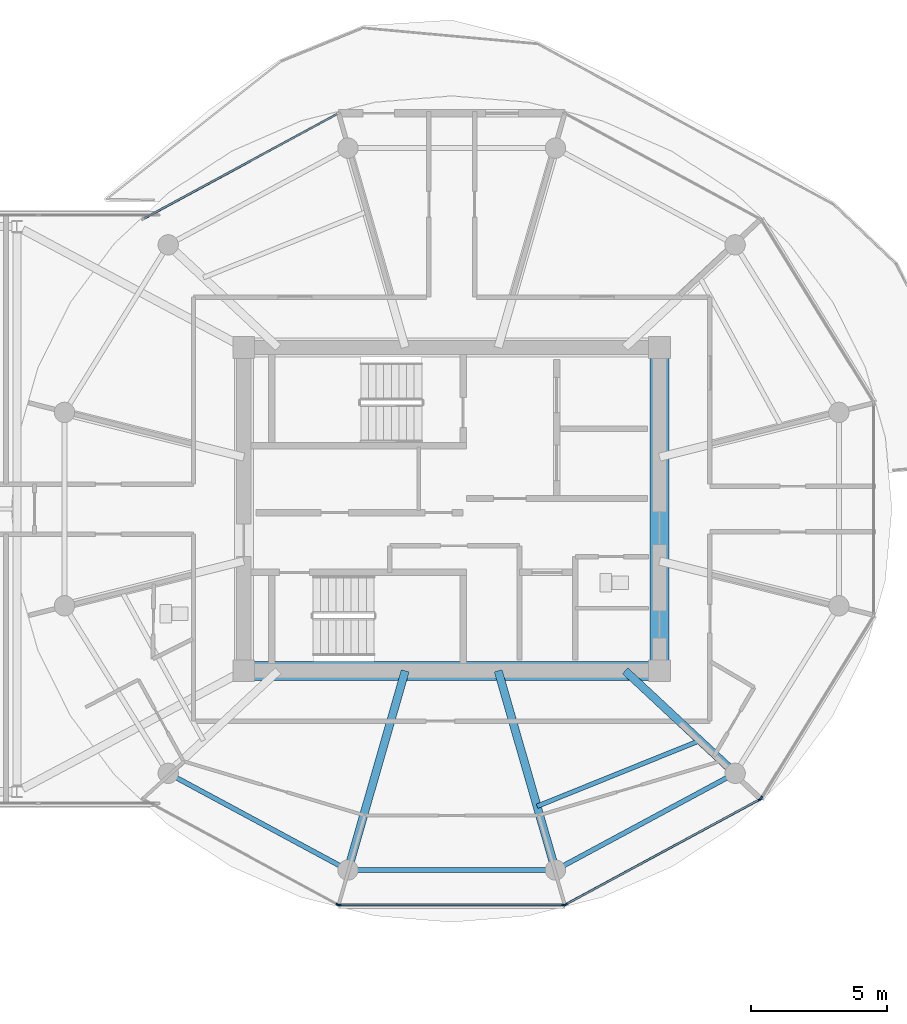
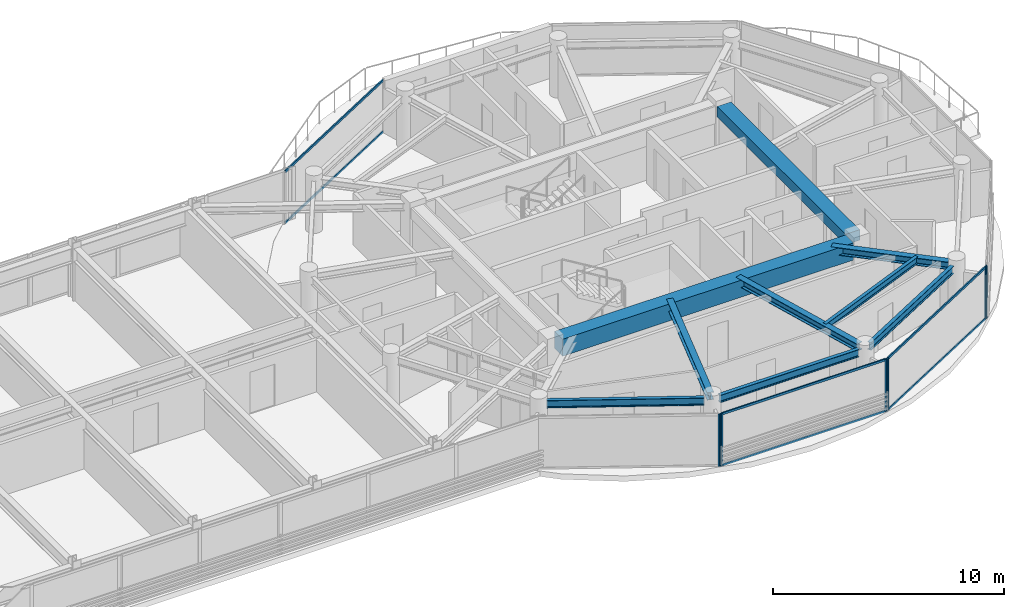
# One storey, part 9 of 24: 12 members, 9 beams, 5 elements without a shape of their own.
"""IFC4 building model written with IfcOpenShell, lengths in metres."""

import ifcopenshell
import ifcopenshell.guid

model = None  # the IFC model being written
_history = None  # IfcOwnerHistory: only IFC2X3 demands one
_inside = {}  # id of a spatial element -> (the spatial element, [elements in it])
_under = {}  # id of a project, library or spatial element -> (it, [spatial elements below it])
_declared = {}  # id of a project -> (the project, [libraries it declares])
_typed = {}  # id of a type object -> (the type object, [elements of that type])
_made_of = {}  # id of a material, layer set ... -> (it, [elements and type objects made of it])


def new_model(schema):
    """Start an empty IFC model of exactly this schema.

    Asked for "IFC4X3", IfcOpenShell would pick the latest addendum, in which some entities
    have other attributes; the version numbers below select the first issue.
    IFC2X3 requires an IfcOwnerHistory on every rooted entity: one is made here for all.
    """
    global model, _history
    if schema == "IFC4X3":
        model = ifcopenshell.file(schema_version=(4, 3, 0, 0))
    else:
        model = ifcopenshell.file(schema=schema)
    _inside.clear()
    _under.clear()
    _declared.clear()
    _typed.clear()
    _made_of.clear()
    _history = None
    if model.schema == "IFC2X3":
        org = make("IfcOrganization", Name="unknown")
        user = make(
            "IfcPersonAndOrganization",
            ThePerson=make("IfcPerson", FamilyName="unknown"),
            TheOrganization=org,
        )
        app = make(
            "IfcApplication",
            ApplicationDeveloper=org,
            Version="unknown",
            ApplicationFullName="unknown",
            ApplicationIdentifier="unknown",
        )
        _history = make(
            "IfcOwnerHistory",
            OwningUser=user,
            OwningApplication=app,
            ChangeAction="ADDED",
            CreationDate=0,
        )
    return model


def make(cls, **values):
    """One entity of the class cls with the attributes given. An attribute that is None is left unset."""
    return model.create_entity(
        cls, **{name: value for name, value in values.items() if value is not None}
    )


def rooted(cls, **values):
    """An entity with a GlobalId (a new one), such as an element, a storey or a relation."""
    return make(cls, GlobalId=ifcopenshell.guid.new(), OwnerHistory=_history, **values)


def si_unit(unit_type, name, prefix=None):
    """IfcSIUnit, for example si_unit("LENGTHUNIT", "METRE", prefix="MILLI")."""
    return make("IfcSIUnit", UnitType=unit_type, Prefix=prefix, Name=name)


def assignment(units):
    """IfcUnitAssignment: the units of a project."""
    return None if units is None else make("IfcUnitAssignment", Units=units)


def point(xyz):
    """IfcCartesianPoint."""
    return None if xyz is None else make("IfcCartesianPoint", Coordinates=xyz)


def direction(xyz):
    """IfcDirection."""
    return None if xyz is None else make("IfcDirection", DirectionRatios=xyz)


def frame(location, z_axis=None, x_axis=None):
    """IfcAxis2Placement3D, a coordinate frame: its origin and axes. An axis left out is left unset."""
    return make(
        "IfcAxis2Placement3D",
        Location=point(location),
        Axis=direction(z_axis),
        RefDirection=direction(x_axis),
    )


def frame_2d(location, x_axis=None):
    """IfcAxis2Placement2D, a coordinate frame in the plane: its origin and x axis."""
    return make(
        "IfcAxis2Placement2D", Location=point(location), RefDirection=direction(x_axis)
    )


def origin():
    """The frame at (0, 0, 0) with its axes left unset."""
    return frame((0.0, 0.0, 0.0))


def origin_2d():
    """The frame at (0, 0) in the plane with its x axis left unset."""
    return frame_2d((0.0, 0.0))


def place(relative_to, where):
    """IfcLocalPlacement: puts the frame where relative to a parent placement (None: the world)."""
    return make(
        "IfcLocalPlacement", PlacementRelTo=relative_to, RelativePlacement=where
    )


def context(
    kind, dimensions, precision=None, world=None, true_north=None, identifier=None
):
    """IfcGeometricRepresentationContext, for example the 3D "Model" context."""
    return make(
        "IfcGeometricRepresentationContext",
        ContextIdentifier=identifier,
        ContextType=kind,
        CoordinateSpaceDimension=dimensions,
        Precision=precision,
        WorldCoordinateSystem=world,
        TrueNorth=true_north,
    )


def subcontext(parent, identifier, kind, view, scale=None):
    """IfcGeometricRepresentationSubContext, for example "Body" below "Model"."""
    return make(
        "IfcGeometricRepresentationSubContext",
        ContextIdentifier=identifier,
        ContextType=kind,
        ParentContext=parent,
        TargetScale=scale,
        TargetView=view,
    )


def project(units=None, contexts=None):
    """IfcProject with its units and contexts."""
    return rooted(
        "IfcProject",
        Name="project",
        RepresentationContexts=contexts,
        UnitsInContext=assignment(units),
    )


def spatial(cls, under=None, at=None, **own):
    """A site, building, storey or space (cls), placed at a placement, below another one or the project."""
    s = rooted(cls, ObjectPlacement=at, **own)
    if under is not None:
        _under.setdefault(under.id(), (under, []))[1].append(s)
    return s


def profile(cls, at=None, kind="AREA", **sizes):
    """A parametric profile (cls). Its sizes go by their IFC names, for example OverallWidth=200.0."""
    return make(cls, ProfileType=kind, Position=at, **sizes)


def rectangle(**sizes):
    """IfcRectangleProfileDef."""
    return profile("IfcRectangleProfileDef", **sizes)


def i_section(**sizes):
    """IfcIShapeProfileDef."""
    return profile("IfcIShapeProfileDef", **sizes)


def extrude(swept, where, along, depth):
    """IfcExtrudedAreaSolid: the profile swept, set in the frame where, extruded along a direction by depth."""
    return make(
        "IfcExtrudedAreaSolid",
        SweptArea=swept,
        Position=where,
        ExtrudedDirection=direction(along),
        Depth=depth,
    )


def shape(context_of_items, identifier, shape_type, items):
    """IfcShapeRepresentation: the items that make up one representation, for example the "Body"."""
    return make(
        "IfcShapeRepresentation",
        ContextOfItems=context_of_items,
        RepresentationIdentifier=identifier,
        RepresentationType=shape_type,
        Items=items,
    )


def source(mapping_origin, context_of_items, identifier, shape_type, items):
    """IfcRepresentationMap: a shape defined once, which mapped items show again and again."""
    return make(
        "IfcRepresentationMap",
        MappingOrigin=mapping_origin,
        MappedRepresentation=shape(context_of_items, identifier, shape_type, items),
    )


def transform(
    local_origin,
    x_axis=None,
    y_axis=None,
    z_axis=None,
    scale=None,
    scale2=None,
    scale3=None,
    uniform=True,
):
    """IfcCartesianTransformationOperator3D, or its non-uniform kind. x_axis, y_axis, z_axis: its Axis1, 2, 3."""
    if uniform:
        return make(
            "IfcCartesianTransformationOperator3D",
            Axis1=direction(x_axis),
            Axis2=direction(y_axis),
            LocalOrigin=point(local_origin),
            Scale=scale,
            Axis3=direction(z_axis),
        )
    return make(
        "IfcCartesianTransformationOperator3DnonUniform",
        Axis1=direction(x_axis),
        Axis2=direction(y_axis),
        LocalOrigin=point(local_origin),
        Scale=scale,
        Axis3=direction(z_axis),
        Scale2=scale2,
        Scale3=scale3,
    )


def mapped(mapping_source, mapping_target):
    """IfcMappedItem: shows the shape of a source again, moved by a transform."""
    return make(
        "IfcMappedItem", MappingSource=mapping_source, MappingTarget=mapping_target
    )


def material(Name=None, Category=None):
    """IfcMaterial."""
    return make("IfcMaterial", Name=Name, Category=Category)


def layer(
    of_material, thickness, ventilated=None, Name=None, Category=None, Priority=None
):
    """IfcMaterialLayer: one layer of a wall or slab, of a material (None: an air gap)."""
    return make(
        "IfcMaterialLayer",
        Material=of_material,
        LayerThickness=thickness,
        IsVentilated=ventilated,
        Name=Name,
        Category=Category,
        Priority=Priority,
    )


def layer_set(layers, Name=None):
    """IfcMaterialLayerSet."""
    return make("IfcMaterialLayerSet", MaterialLayers=layers, LayerSetName=Name)


def material_profile(
    of_material, cross_section, Name=None, Category=None, Priority=None
):
    """IfcMaterialProfile: a cross section and its material."""
    return make(
        "IfcMaterialProfile",
        Name=Name,
        Material=of_material,
        Profile=cross_section,
        Priority=Priority,
        Category=Category,
    )


def profile_set(profiles, Name=None, composite=None):
    """IfcMaterialProfileSet."""
    return make(
        "IfcMaterialProfileSet",
        Name=Name,
        MaterialProfiles=profiles,
        CompositeProfile=composite,
    )


def made_of(thing, what):
    """Note that an element or type object is made of a material, layer set ...; save() writes the relation."""
    if what is not None:
        _made_of.setdefault(what.id(), (what, []))[1].append(thing)
    return thing


def type_object(cls, material=None, **own):
    """A type object (cls), such as IfcWallType, which elements share."""
    return made_of(rooted(cls, **own), material)


def type_shapes(of_type, sources):
    """Give a type object the sources (RepresentationMaps) that its elements show as mapped items."""
    of_type.RepresentationMaps = sources


def element(
    cls,
    number,
    at=None,
    inside=None,
    cuts=None,
    type_object=None,
    material=None,
    context=None,
    identifier="Body",
    shape_type=None,
    held_by="IfcProductDefinitionShape",
    body=None,
    shapes=None,
    **own,
):
    """One element of the class cls, such as IfcWall. Its Tag is "e" and its number.

    at: its placement. inside: the storey or other place that contains it. cuts: it is an
    opening in that element (IfcRelVoidsElement). A single representation is given by context,
    identifier, shape_type and body (its items); several are given by shapes. held_by: the class
    of the entity that holds the representations. save() writes the other relations.
    """
    e = rooted(cls, Tag="e%d" % number, ObjectPlacement=at, **own)
    if body is not None:
        shapes = [shape(context, identifier, shape_type, body)]
    if shapes is not None:
        e.Representation = make(held_by, Representations=shapes)
    if inside is not None:
        _inside.setdefault(inside.id(), (inside, []))[1].append(e)
    if cuts is not None:
        rooted(
            "IfcRelVoidsElement", RelatingBuildingElement=cuts, RelatedOpeningElement=e
        )
    if type_object is not None:
        _typed.setdefault(type_object.id(), (type_object, []))[1].append(e)
    return made_of(e, material)


def aggregate(whole, parts):
    """IfcRelAggregates: a whole, such as a stair, and the parts it consists of."""
    return rooted("IfcRelAggregates", RelatingObject=whole, RelatedObjects=parts)


def save(model, path):
    """Write the relations noted so far, then the file.

    IfcRelAggregates (storeys below a building ...), IfcRelContainedInSpatialStructure (elements
    in a storey), IfcRelDefinesByType, IfcRelAssociatesMaterial and IfcRelDeclares: one each for
    every whole, place, type object, material and project.
    """
    for whole, parts in _under.values():
        aggregate(whole, parts)
    for where, things in _inside.values():
        rooted(
            "IfcRelContainedInSpatialStructure",
            RelatedElements=things,
            RelatingStructure=where,
        )
    for kind, things in _typed.values():
        rooted("IfcRelDefinesByType", RelatedObjects=things, RelatingType=kind)
    for what, things in _made_of.values():
        rooted("IfcRelAssociatesMaterial", RelatedObjects=things, RelatingMaterial=what)
    for by, libraries in _declared.values():
        rooted("IfcRelDeclares", RelatingContext=by, RelatedDefinitions=libraries)
    model.write(path)


model = new_model("IFC4")

# Units and contexts
model_context = context("Model", 3, precision=1e-05, world=origin(), true_north=direction((0.0, 1.0)))
body_context = subcontext(model_context, "Body", "Model", "MODEL_VIEW")
ifc_project = project(units=[si_unit("LENGTHUNIT", "METRE"), si_unit("AREAUNIT", "SQUARE_METRE"), si_unit("VOLUMEUNIT", "CUBIC_METRE"), si_unit("PLANEANGLEUNIT", "RADIAN"), si_unit("MASSUNIT", "GRAM", prefix="KILO")], contexts=[model_context])

# Site, building, storey
site_placement = place(None, origin())
site = spatial("IfcSite", under=ifc_project, at=site_placement, CompositionType="ELEMENT")
building_placement = place(site_placement, origin())
building = spatial("IfcBuilding", under=site, at=building_placement, Name="Norrkilde Senior Care Towers", CompositionType="ELEMENT")
storey_placement = place(building_placement, frame((0.0, 0.0, 226.10009765625)))
storey = spatial("IfcBuildingStorey", under=building, at=storey_placement, Name="L70", CompositionType="ELEMENT", Elevation=226.10009765625)

# Beams
ifc_material_1 = material(Name="Concrete C60/75", Category="concrete")
ifc_material_profile_1 = material_profile(ifc_material_1, rectangle(XDim=0.699951171875, YDim=0.89990234375, at=origin_2d()), Name="RC BM 700x900")
ifc_profile_set_1 = profile_set([ifc_material_profile_1], Name="Concrete C60/75")
beam_type_1 = type_object("IfcBeamType", Name="Core Coupling Girder 700x900", PredefinedType="USERDEFINED", material=ifc_profile_set_1)
shared_shape_1 = source(origin(), body_context, "Body", "SweptSolid", [
    extrude(rectangle(XDim=0.699951171875, YDim=0.89990234375, at=origin_2d()), origin(), (0.0, 0.0, 1.0), 14.5400390625),
])
type_shapes(beam_type_1, [shared_shape_1])
beam_1_placement = place(storey_placement, frame((20.72998046875, -5.949951171875, 2.309814453125), z_axis=(1.0, 0.0, 0.0), x_axis=(0.0, 1.0, 0.0)))
element("IfcBeam", 1, at=beam_1_placement, inside=storey, type_object=beam_type_1, Name="L70 Core E S Coupling Girder", ObjectType="GIRDER", PredefinedType="USERDEFINED", context=body_context, shape_type="MappedRepresentation", body=[
    mapped(shared_shape_1, transform((0.0, 0.0, 0.0), x_axis=(1.0, 0.0, 0.0), y_axis=(0.0, 1.0, 0.0), z_axis=(0.0, 0.0, 1.0), scale=1.0)),
])
ifc_material_profile_2 = material_profile(ifc_material_1, rectangle(XDim=0.699951171875, YDim=0.550048828125, at=origin_2d()), Name="RC BM 700x550")
ifc_profile_set_2 = profile_set([ifc_material_profile_2], Name="Concrete C60/75")
beam_type_2 = type_object("IfcBeamType", Name="Core Portal Coupling Beam 700x550", PredefinedType="USERDEFINED", material=ifc_profile_set_2)
shared_shape_2 = source(origin(), body_context, "Body", "SweptSolid", [
    extrude(rectangle(XDim=0.699951171875, YDim=0.550048828125, at=origin_2d()), origin(), (0.0, 0.0, 1.0), 11.14013671875),
])
type_shapes(beam_type_2, [shared_shape_2])
beam_2_placement = place(storey_placement, frame((35.64990234375, -5.570068359375, 2.48486328125), z_axis=(0.0, 1.0, 0.0), x_axis=(-1.0, 0.0, 0.0)))
element("IfcBeam", 2, at=beam_2_placement, inside=storey, type_object=beam_type_2, Name="L70 Core E E Coupling Girder", ObjectType="GIRDER", PredefinedType="USERDEFINED", context=body_context, shape_type="MappedRepresentation", body=[
    mapped(shared_shape_2, transform((0.0, 0.0, 0.0), x_axis=(1.0, 0.0, 0.0), y_axis=(0.0, 1.0, 0.0), z_axis=(0.0, 0.0, 1.0), scale=1.0)),
])
ifc_material_2 = material(Name="Steel S355", Category="steel")
ifc_material_profile_3 = material_profile(ifc_material_2, i_section(OverallWidth=0.179931640625, OverallDepth=0.39990234375, WebThickness=0.008544921875, FlangeThickness=0.013427734375, FilletRadius=0.02099609375, at=origin_2d()), Name="IPE 400")
ifc_profile_set_3 = profile_set([ifc_material_profile_3], Name="Steel S355")
beam_type_3 = type_object("IfcBeamType", Name="Perimeter Ring Spandrel Z4 IPE400", PredefinedType="SPANDREL", material=ifc_profile_set_3)
shared_shape_3 = source(origin(), body_context, "Body", "SweptSolid", [
    extrude(i_section(OverallWidth=0.179931640625, OverallDepth=0.39990234375, WebThickness=0.008544921875, FlangeThickness=0.013427734375, FilletRadius=0.02099609375, at=origin_2d()), origin(), (0.0, 0.0, 1.0), 6.839111328125),
])
for number, where, z_axis, x_axis, name in (
    (3, (17.865234375, -9.881591796875, 2.559814453125), (0.880563930732, -0.473927382511, 0.0), (0.473927382511, 0.880563930732, 0.0), "L70 Drum E Perimeter Spandrel 08"),
    (4, (32.112548828125, -13.122802734375, 2.559814453125), (0.880563930732, 0.473927382511, 0.0), (-0.473927382511, 0.880563930732, 0.0), "L70 Drum E Perimeter Spandrel 10"),
):
    element("IfcBeam", number, at=place(storey_placement, frame(where, z_axis=z_axis, x_axis=x_axis)), inside=storey, type_object=beam_type_3, Name=name, PredefinedType="SPANDREL", context=body_context, shape_type="MappedRepresentation", body=[
        mapped(shared_shape_3, transform((0.0, 0.0, 0.0), x_axis=(1.0, 0.0, 0.0), y_axis=(0.0, 1.0, 0.0), z_axis=(0.0, 0.0, 1.0), scale=1.0)),
    ])
ifc_material_profile_4 = material_profile(ifc_material_2, i_section(OverallWidth=0.300048828125, OverallDepth=0.39990234375, WebThickness=0.013427734375, FlangeThickness=0.02392578125, FilletRadius=0.027099609375, at=origin_2d()), Name="HEB 400")
ifc_profile_set_4 = profile_set([ifc_material_profile_4], Name="Steel S355")
beam_type_4 = type_object("IfcBeamType", Name="Radial Floor Beam Z4 HEB400", PredefinedType="BEAM", material=ifc_profile_set_4)
shared_shape_4 = source(origin(), body_context, "Body", "SweptSolid", [
    extrude(i_section(OverallWidth=0.300048828125, OverallDepth=0.39990234375, WebThickness=0.013427734375, FlangeThickness=0.02392578125, FilletRadius=0.027099609375, at=origin_2d()), origin(), (0.0, 0.0, 1.0), 5.197998046875),
])
beam_3_placement = place(storey_placement, frame((34.3828125, -5.949951171875, 2.559814453125), z_axis=(0.731448749334, -0.681896419625, 0.0), x_axis=(0.681896419625, 0.731448749334, 0.0)))
element("IfcBeam", 5, at=beam_3_placement, inside=storey, type_object=beam_type_4, Name="L70 Drum E Radial Floor Beam 11", PredefinedType="BEAM", context=body_context, shape_type="MappedRepresentation", body=[
    mapped(shared_shape_4, transform((0.0, 0.0, 0.0), x_axis=(1.0, 0.0, 0.0), y_axis=(0.0, 1.0, 0.0), z_axis=(0.0, 0.0, 1.0), scale=1.0)),
])
shared_shape_5 = source(origin(), body_context, "Body", "SweptSolid", [
    extrude(i_section(OverallWidth=0.179931640625, OverallDepth=0.39990234375, WebThickness=0.008544921875, FlangeThickness=0.013427734375, FilletRadius=0.02099609375, at=origin_2d()), origin(), (0.0, 0.0, 1.0), 6.96533203125),
])
type_shapes(beam_type_3, [shared_shape_3, shared_shape_5])
beam_4_placement = place(storey_placement, frame((24.517333984375, -13.281494140625, 2.559814453125), z_axis=(1.0, 0.0, 0.0), x_axis=(0.0, 1.0, 0.0)))
element("IfcBeam", 6, at=beam_4_placement, inside=storey, type_object=beam_type_3, Name="L70 Drum E Perimeter Spandrel 09", PredefinedType="SPANDREL", context=body_context, shape_type="MappedRepresentation", body=[
    mapped(shared_shape_5, transform((0.0, 0.0, 0.0), x_axis=(1.0, 0.0, 0.0), y_axis=(0.0, 1.0, 0.0), z_axis=(0.0, 0.0, 1.0), scale=1.0)),
])
shared_shape_6 = source(origin(), body_context, "Body", "SweptSolid", [
    extrude(i_section(OverallWidth=0.300048828125, OverallDepth=0.39990234375, WebThickness=0.013427734375, FlangeThickness=0.02392578125, FilletRadius=0.027099609375, at=origin_2d()), origin(), (0.0, 0.0, 1.0), 7.29345703125),
])
type_shapes(beam_type_4, [shared_shape_4, shared_shape_6])
for number, where, z_axis, x_axis, name in (
    (7, (26.289794921875, -5.949951171875, 2.559814453125), (-0.276263751906, -0.961081858836, 0.0), (0.961081858836, -0.276263751906, 0.0), "L70 Drum E Radial Floor Beam 09"),
    (8, (29.710205078125, -5.949951171875, 2.559814453125), (0.276263751906, -0.961081858836, 0.0), (0.961081858836, 0.276263751906, 0.0), "L70 Drum E Radial Floor Beam 10"),
):
    element("IfcBeam", number, at=place(storey_placement, frame(where, z_axis=z_axis, x_axis=x_axis)), inside=storey, type_object=beam_type_4, Name=name, PredefinedType="BEAM", context=body_context, shape_type="MappedRepresentation", body=[
        mapped(shared_shape_6, transform((0.0, 0.0, 0.0), x_axis=(1.0, 0.0, 0.0), y_axis=(0.0, 1.0, 0.0), z_axis=(0.0, 0.0, 1.0), scale=1.0)),
    ])
ifc_material_profile_5 = material_profile(ifc_material_2, i_section(OverallWidth=0.169921875, OverallDepth=0.360107421875, WebThickness=0.008056640625, FlangeThickness=0.0126953125, FilletRadius=0.01806640625, at=origin_2d()), Name="IPE 360")
ifc_profile_set_5 = profile_set([ifc_material_profile_5], Name="Steel S355")
beam_type_5 = type_object("IfcBeamType", Name="Secondary Floor Joist IPE360", PredefinedType="JOIST", material=ifc_profile_set_5)
shared_shape_7 = source(origin(), body_context, "Body", "SweptSolid", [
    extrude(i_section(OverallWidth=0.169921875, OverallDepth=0.360107421875, WebThickness=0.008056640625, FlangeThickness=0.0126953125, FilletRadius=0.01806640625, at=origin_2d()), origin(), (0.0, 0.0, 1.0), 6.461669921875),
])
type_shapes(beam_type_5, [shared_shape_7])
beam_5_placement = place(storey_placement, frame((31.143310546875, -10.935302734375, 2.579833984375), z_axis=(0.927225942298, 0.374502405772, 0.0), x_axis=(-0.374502405772, 0.927225942298, 0.0)))
element("IfcBeam", 9, at=beam_5_placement, inside=storey, type_object=beam_type_5, Name="L70 Drum E Secondary Floor Joist 4", PredefinedType="JOIST", context=body_context, shape_type="MappedRepresentation", body=[
    mapped(shared_shape_7, transform((0.0, 0.0, 0.0), x_axis=(1.0, 0.0, 0.0), y_axis=(0.0, 1.0, 0.0), z_axis=(0.0, 0.0, 1.0), scale=1.0)),
])

# Curtain wall, members
ifc_material_3 = material(Name="Triple Low-E Insulated Glazing", Category="glass")
ifc_layer = layer(ifc_material_3, 0.18505859375)
ifc_layer_set = layer_set([ifc_layer], Name="Triple Low-E Insulated Glazing")
curtain_wall_type = type_object("IfcCurtainWallType", Name="CW6 Zone 4 Crown Pavilion Curtain Wall", PredefinedType="NOTDEFINED", material=ifc_layer_set)
curtain_wall_1_placement = place(storey_placement, origin())
curtain_wall_1 = element("IfcCurtainWall", 10, at=curtain_wall_1_placement, inside=storey, type_object=curtain_wall_type, Name="L70 Drum E Curtain Wall 08", PredefinedType="NOTDEFINED")
ifc_material_4 = material(Name="Anodised Aluminium", Category="aluminium")
ifc_material_profile_6 = material_profile(ifc_material_4, rectangle(XDim=0.06005859375, YDim=0.1201171875, at=origin_2d()), Name="ALU TRAN 60x120")
ifc_profile_set_6 = profile_set([ifc_material_profile_6], Name="Anodised Aluminium")
member_type_1 = type_object("IfcMemberType", Name="Curtain Wall Transom Typical 60x120", PredefinedType="USERDEFINED", material=ifc_profile_set_6)
shared_shape_8 = source(origin(), body_context, "Body", "SweptSolid", [
    extrude(rectangle(XDim=0.06005859375, YDim=0.1201171875, at=origin_2d()), origin(), (0.0, 0.0, 1.0), 8.19384765625),
])
member_1_placement = place(storey_placement, frame((32.096923828125, -14.566162109375, 0.02978515625), z_axis=(-1.0, 0.0, 0.0), x_axis=(0.0, -1.0, 0.0)))
member_1 = element("IfcMember", 11, at=member_1_placement, type_object=member_type_1, Name="CW-6 transom 1.1", ObjectType="TRANSOM", PredefinedType="USERDEFINED", context=body_context, shape_type="MappedRepresentation", body=[
    mapped(shared_shape_8, transform((0.0, 0.0, 0.0), x_axis=(1.0, 0.0, 0.0), y_axis=(0.0, 1.0, 0.0), z_axis=(0.0, 0.0, 1.0), scale=1.0)),
])
member_2_placement = place(storey_placement, frame((32.096923828125, -14.566162109375, 2.72998046875), z_axis=(-1.0, 0.0, 0.0), x_axis=(0.0, -1.0, 0.0)))
member_2 = element("IfcMember", 12, at=member_2_placement, type_object=member_type_1, Name="CW-6 transom 1.2", ObjectType="TRANSOM", PredefinedType="USERDEFINED", context=body_context, shape_type="MappedRepresentation", body=[
    mapped(shared_shape_8, transform((0.0, 0.0, 0.0), x_axis=(1.0, 0.0, 0.0), y_axis=(0.0, 1.0, 0.0), z_axis=(0.0, 0.0, 1.0), scale=1.0)),
])

curtain_wall_2_placement = place(storey_placement, origin())
curtain_wall_2 = element("IfcCurtainWall", 13, at=curtain_wall_2_placement, inside=storey, type_object=curtain_wall_type, Name="L70 Drum E Curtain Wall 03", PredefinedType="NOTDEFINED")
shared_shape_9 = source(origin(), body_context, "Body", "SweptSolid", [
    extrude(rectangle(XDim=0.06005859375, YDim=0.1201171875, at=origin_2d()), origin(), (0.0, 0.0, 1.0), 8.0673828125),
])
type_shapes(member_type_1, [shared_shape_8, shared_shape_9])
member_3_placement = place(storey_placement, frame((16.686767578125, 10.694091796875, 0.02978515625), z_axis=(0.87937750072, 0.476125205411, 0.0), x_axis=(-0.476125205411, 0.87937750072, 0.0)))
member_3 = element("IfcMember", 14, at=member_3_placement, type_object=member_type_1, Name="CW-6 transom 1.1", ObjectType="TRANSOM", PredefinedType="USERDEFINED", context=body_context, shape_type="MappedRepresentation", body=[
    mapped(shared_shape_9, transform((0.0, 0.0, 0.0), x_axis=(1.0, 0.0, 0.0), y_axis=(0.0, 1.0, 0.0), z_axis=(0.0, 0.0, 1.0), scale=1.0)),
])
member_4_placement = place(storey_placement, frame((16.686767578125, 10.694091796875, 2.72998046875), z_axis=(0.87937750072, 0.476125205411, 0.0), x_axis=(-0.476125205411, 0.87937750072, 0.0)))
member_4 = element("IfcMember", 15, at=member_4_placement, type_object=member_type_1, Name="CW-6 transom 1.2", ObjectType="TRANSOM", PredefinedType="USERDEFINED", context=body_context, shape_type="MappedRepresentation", body=[
    mapped(shared_shape_9, transform((0.0, 0.0, 0.0), x_axis=(1.0, 0.0, 0.0), y_axis=(0.0, 1.0, 0.0), z_axis=(0.0, 0.0, 1.0), scale=1.0)),
])
aggregate(curtain_wall_2, [member_3, member_4])

curtain_wall_3_placement = place(storey_placement, origin())
curtain_wall_3 = element("IfcCurtainWall", 16, at=curtain_wall_3_placement, inside=storey, type_object=curtain_wall_type, Name="L70 Drum E Curtain Wall 09", PredefinedType="NOTDEFINED")
member_5_placement = place(storey_placement, frame((39.313232421875, -10.694091796875, 0.02978515625), z_axis=(-0.87937750072, -0.476125205411, 0.0), x_axis=(0.476125205411, -0.87937750072, 0.0)))
member_5 = element("IfcMember", 17, at=member_5_placement, type_object=member_type_1, Name="CW-6 transom 1.1", ObjectType="TRANSOM", PredefinedType="USERDEFINED", context=body_context, shape_type="MappedRepresentation", body=[
    mapped(shared_shape_9, transform((0.0, 0.0, 0.0), x_axis=(1.0, 0.0, 0.0), y_axis=(0.0, 1.0, 0.0), z_axis=(0.0, 0.0, 1.0), scale=1.0)),
])
member_6_placement = place(storey_placement, frame((39.313232421875, -10.694091796875, 2.72998046875), z_axis=(-0.87937750072, -0.476125205411, 0.0), x_axis=(0.476125205411, -0.87937750072, 0.0)))
member_6 = element("IfcMember", 18, at=member_6_placement, type_object=member_type_1, Name="CW-6 transom 1.2", ObjectType="TRANSOM", PredefinedType="USERDEFINED", context=body_context, shape_type="MappedRepresentation", body=[
    mapped(shared_shape_9, transform((0.0, 0.0, 0.0), x_axis=(1.0, 0.0, 0.0), y_axis=(0.0, 1.0, 0.0), z_axis=(0.0, 0.0, 1.0), scale=1.0)),
])

# Curtain wall, member
curtain_wall_4_placement = place(storey_placement, origin())
curtain_wall_4 = element("IfcCurtainWall", 19, at=curtain_wall_4_placement, inside=storey, type_object=curtain_wall_type, Name="L70 Drum E Curtain Wall 07", PredefinedType="NOTDEFINED")
ifc_material_profile_7 = material_profile(ifc_material_4, rectangle(XDim=0.06494140625, YDim=0.14990234375, at=origin_2d()), Name="ALU MULL 65x150")
ifc_profile_set_7 = profile_set([ifc_material_profile_7], Name="Anodised Aluminium")
member_type_2 = type_object("IfcMemberType", Name="Curtain Wall Mullion Z3-Z4 65x150", PredefinedType="MULLION", material=ifc_profile_set_7)
shared_shape_10 = source(origin(), body_context, "Body", "SweptSolid", [
    extrude(rectangle(XDim=0.06494140625, YDim=0.14990234375, at=origin_2d()), origin(), (0.0, 0.0, 1.0), 2.760009765625),
])
type_shapes(member_type_2, [shared_shape_10])
member_7_placement = place(storey_placement, frame((23.8095703125, -14.55078125, 0.0), z_axis=(0.0, 0.0, 1.0), x_axis=(-0.476132676136, -0.879373455772, 0.0)))
member_7 = element("IfcMember", 20, at=member_7_placement, type_object=member_type_2, Name="CW-6 mullion 1", PredefinedType="MULLION", context=body_context, shape_type="MappedRepresentation", body=[
    mapped(shared_shape_10, transform((0.0, 0.0, 0.0), x_axis=(1.0, 0.0, 0.0), y_axis=(0.0, 1.0, 0.0), z_axis=(0.0, 0.0, 1.0), scale=1.0)),
])
aggregate(curtain_wall_4, [member_7])

# Member
member_8_placement = place(storey_placement, frame((32.12939453125, -14.566162109375, 0.0), z_axis=(0.0, 0.0, 1.0), x_axis=(0.0, -1.0, 0.0)))
member_8 = element("IfcMember", 21, at=member_8_placement, type_object=member_type_2, Name="CW-6 mullion 1", PredefinedType="MULLION", context=body_context, shape_type="MappedRepresentation", body=[
    mapped(shared_shape_10, transform((0.0, 0.0, 0.0), x_axis=(1.0, 0.0, 0.0), y_axis=(0.0, 1.0, 0.0), z_axis=(0.0, 0.0, 1.0), scale=1.0)),
])

member_9_placement = place(storey_placement, frame((23.87060546875, -14.566162109375, 0.0), z_axis=(0.0, 0.0, 1.0), x_axis=(0.0, -1.0, 0.0)))
member_9 = element("IfcMember", 22, at=member_9_placement, type_object=member_type_2, Name="CW-6 mullion 2", PredefinedType="MULLION", context=body_context, shape_type="MappedRepresentation", body=[
    mapped(shared_shape_10, transform((0.0, 0.0, 0.0), x_axis=(1.0, 0.0, 0.0), y_axis=(0.0, 1.0, 0.0), z_axis=(0.0, 0.0, 1.0), scale=1.0)),
])

aggregate(curtain_wall_1, [member_8, member_9, member_1, member_2])

member_10_placement = place(storey_placement, frame((39.341796875, -10.6787109375, 0.0), z_axis=(0.0, 0.0, 1.0), x_axis=(0.476132676136, -0.879373455772, 0.0)))
member_10 = element("IfcMember", 23, at=member_10_placement, type_object=member_type_2, Name="CW-6 mullion 1", PredefinedType="MULLION", context=body_context, shape_type="MappedRepresentation", body=[
    mapped(shared_shape_10, transform((0.0, 0.0, 0.0), x_axis=(1.0, 0.0, 0.0), y_axis=(0.0, 1.0, 0.0), z_axis=(0.0, 0.0, 1.0), scale=1.0)),
])

member_11_placement = place(storey_placement, frame((32.1904296875, -14.55078125, 0.0), z_axis=(0.0, 0.0, 1.0), x_axis=(0.476132676136, -0.879373455772, 0.0)))
member_11 = element("IfcMember", 24, at=member_11_placement, type_object=member_type_2, Name="CW-6 mullion 2", PredefinedType="MULLION", context=body_context, shape_type="MappedRepresentation", body=[
    mapped(shared_shape_10, transform((0.0, 0.0, 0.0), x_axis=(1.0, 0.0, 0.0), y_axis=(0.0, 1.0, 0.0), z_axis=(0.0, 0.0, 1.0), scale=1.0)),
])

aggregate(curtain_wall_3, [member_10, member_11, member_5, member_6])

# Curtain wall, member
curtain_wall_5_placement = place(storey_placement, origin())
curtain_wall_5 = element("IfcCurtainWall", 25, at=curtain_wall_5_placement, inside=storey, type_object=curtain_wall_type, Name="L70 Drum E Curtain Wall 10", PredefinedType="NOTDEFINED")
member_12_placement = place(storey_placement, frame((39.38720703125, -10.635498046875, 0.0), z_axis=(0.0, 0.0, 1.0), x_axis=(0.851562727283, -0.524252726748, 0.0)))
member_12 = element("IfcMember", 26, at=member_12_placement, type_object=member_type_2, Name="CW-6 mullion 2", PredefinedType="MULLION", context=body_context, shape_type="MappedRepresentation", body=[
    mapped(shared_shape_10, transform((0.0, 0.0, 0.0), x_axis=(1.0, 0.0, 0.0), y_axis=(0.0, 1.0, 0.0), z_axis=(0.0, 0.0, 1.0), scale=1.0)),
])
aggregate(curtain_wall_5, [member_12])

save(model, "model.ifc")
